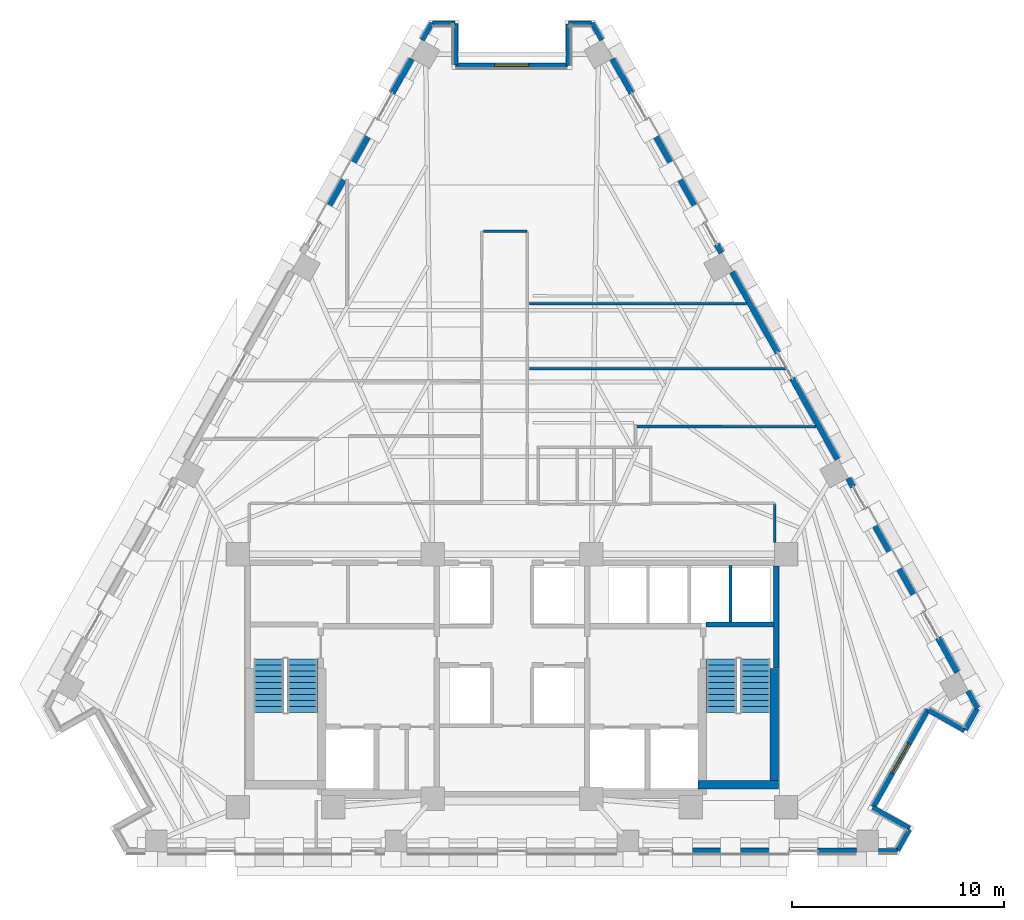
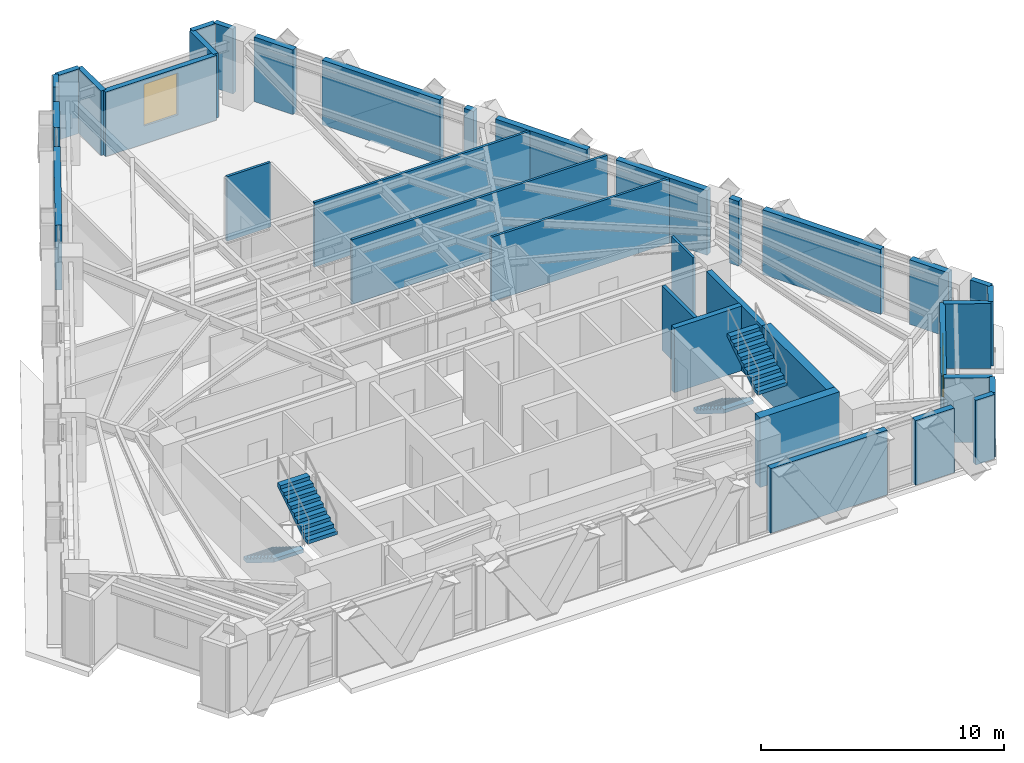
# One storey, part 9 of 13: 36 walls, 4 stair flights, 2 windows, 2 openings, 2 elements without a shape of their own.
"""IFC4 building model written with IfcOpenShell, lengths in metres."""

from ifc_helpers import new_model, si_unit, direction, frame, frame_2d, origin, place, context, subcontext, project, spatial, polyline, rectangle, outline, extrude, material, layer, layer_set, type_object, element, fill, aggregate, save


model = new_model("IFC4")

# Units and contexts
model_context = context("Model", 3, precision=1e-05, world=origin(), true_north=direction((0.0, 1.0)))
body_context = subcontext(model_context, "Body", "Model", "MODEL_VIEW")
ifc_project = project(units=[si_unit("LENGTHUNIT", "METRE"), si_unit("AREAUNIT", "SQUARE_METRE"), si_unit("VOLUMEUNIT", "CUBIC_METRE"), si_unit("PLANEANGLEUNIT", "RADIAN"), si_unit("MASSUNIT", "GRAM", prefix="KILO")], contexts=[model_context])

# Site, building, storey
site_placement = place(None, origin())
site = spatial("IfcSite", under=ifc_project, at=site_placement, CompositionType="ELEMENT")
building_placement = place(site_placement, origin())
building = spatial("IfcBuilding", under=site, at=building_placement, Name="Quenlor Broadcast Tower", CompositionType="ELEMENT")
storey_placement = place(building_placement, frame((0.0, 0.0, 130.0)))
storey = spatial("IfcBuildingStorey", under=building, at=storey_placement, Name="L35", CompositionType="ELEMENT", Elevation=130.0)

# Walls
ifc_material_1 = material(Name="Concrete C50/60", Category="concrete")
ifc_layer_1 = layer(ifc_material_1, 0.39990234375)
ifc_layer_set_1 = layer_set([ifc_layer_1], Name="Core Concrete C50/60 Shear Wall 400")
wall_type_1 = type_object("IfcWallType", Name="Core Concrete C50/60 Shear Wall 400", PredefinedType="SHEAR", material=ifc_layer_set_1)
wall_1_placement = place(storey_placement, frame((8.800048828125, -15.699951171875, 0.0), z_axis=(0.0, 0.0, 1.0), x_axis=(1.0, 0.0, 0.0)))
element("IfcWall", 1, at=wall_1_placement, inside=storey, type_object=wall_type_1, Name="L35 Core Shear Wall WS-E2", PredefinedType="SHEAR", context=body_context, shape_type="SweptSolid", body=[
    extrude(rectangle(XDim=3.800048828125, YDim=0.39990234375, at=frame_2d((1.89990234375, 0.0))), origin(), (0.0, 0.0, 1.0), 3.5),
])
wall_2_placement = place(storey_placement, frame((12.39990234375, -15.699951171875, 0.0), z_axis=(0.0, 0.0, 1.0), x_axis=(0.0, 1.0, 0.0)))
element("IfcWall", 2, at=wall_2_placement, inside=storey, type_object=wall_type_1, Name="L35 Core Shear Wall WF-E", PredefinedType="SHEAR", context=body_context, shape_type="SweptSolid", body=[
    extrude(rectangle(XDim=5.5, YDim=0.39990234375, at=frame_2d((2.75, 0.0))), origin(), (0.0, 0.0, 1.0), 3.5),
])
ifc_material_2 = material(Name="Concrete C40/50", Category="concrete")
ifc_layer_2 = layer(ifc_material_2, 0.25)
ifc_layer_set_2 = layer_set([ifc_layer_2], Name="Fire Rated Concrete C40/50 Core Wall 250")
wall_type_2 = type_object("IfcWallType", Name="Fire Rated Concrete C40/50 Core Wall 250", PredefinedType="PARTITIONING", material=ifc_layer_set_2)
wall_3_placement = place(storey_placement, frame((9.159912109375, -8.1201171875, 0.0), z_axis=(0.0, 0.0, 1.0), x_axis=(1.0, 0.0, 0.0)))
element("IfcWall", 3, at=wall_3_placement, inside=storey, type_object=wall_type_2, Name="L35 Interior Wall CW-ST2-N", PredefinedType="PARTITIONING", context=body_context, shape_type="SweptSolid", body=[
    extrude(rectangle(XDim=3.219970703125, YDim=0.25, at=frame_2d((1.60986328125, 0.0))), origin(), (0.0, 0.0, 1.0), 3.25),
])
wall_4_placement = place(storey_placement, frame((12.47998046875, -10.179931640625, 0.0), z_axis=(0.0, 0.0, 1.0), x_axis=(0.0, 1.0, 0.0)))
element("IfcWall", 4, at=wall_4_placement, inside=storey, type_object=wall_type_2, Name="L35 Interior Wall CW-ST2-E2", PredefinedType="PARTITIONING", context=body_context, shape_type="SweptSolid", body=[
    extrude(rectangle(XDim=4.827880859375, YDim=0.25, at=frame_2d((2.4140625, 0.0))), origin(), (0.0, 0.0, 1.0), 3.25),
])
ifc_material_3 = material(Name="Gypsum Fireboard Partition", Category="other")
ifc_layer_3 = layer(ifc_material_3, 0.159912109375)
ifc_layer_set_3 = layer_set([ifc_layer_3], Name="Fire Rated Shaft and Corridor Partition 160")
wall_type_3 = type_object("IfcWallType", Name="Fire Rated Shaft and Corridor Partition 160", PredefinedType="PARTITIONING", material=ifc_layer_set_3)
wall_5_placement = place(storey_placement, frame((10.324951171875, -7.992919921875, 0.0), z_axis=(0.0, 0.0, 1.0), x_axis=(0.0, 1.0, 0.0)))
element("IfcWall", 5, at=wall_5_placement, inside=storey, type_object=wall_type_3, Name="L35 Interior Wall CW-PLH-D3", PredefinedType="PARTITIONING", context=body_context, shape_type="SweptSolid", body=[
    extrude(rectangle(XDim=2.65283203125, YDim=0.159912109375, at=frame_2d((1.326416015625, 0.0))), origin(), (0.0, 0.0, 1.0), 3.25),
])
ifc_material_4 = material(Name="Gypsum Plasterboard Partition", Category="other")
ifc_layer_4 = layer(ifc_material_4, 0.1201171875)
ifc_layer_set_4 = layer_set([ifc_layer_4], Name="Standard Office Partition 120")
wall_type_4 = type_object("IfcWallType", Name="Standard Office Partition 120", PredefinedType="PARTITIONING", material=ifc_layer_set_4)
wall_6_placement = place(storey_placement, frame((-1.35791015625, 10.449951171875, 0.0), z_axis=(0.0, 0.0, 1.0), x_axis=(1.0, 0.0, 0.0)))
element("IfcWall", 6, at=wall_6_placement, inside=storey, type_object=wall_type_4, Name="L35 Interior Wall PW-CR-04", PredefinedType="PARTITIONING", context=body_context, shape_type="SweptSolid", body=[
    extrude(rectangle(XDim=2.077880859375, YDim=0.1201171875, at=frame_2d((1.0390625, 0.0))), origin(), (0.0, 0.0, 1.0), 3.25),
])
wall_7_placement = place(storey_placement, frame((12.409912109375, -2.4619140625, 0.0), z_axis=(0.0, 0.0, 1.0), x_axis=(0.0, -1.0, 0.0)))
element("IfcWall", 7, at=wall_7_placement, inside=storey, type_object=wall_type_4, Name="L35 Interior Wall PW-CR-07", PredefinedType="PARTITIONING", context=body_context, shape_type="SweptSolid", body=[
    extrude(rectangle(XDim=1.7861328125, YDim=0.1201171875, at=frame_2d((0.89306640625, 0.0))), origin(), (0.0, 0.0, 1.0), 3.25),
])
wall_8_placement = place(storey_placement, frame((11.087158203125, 7.042724609375, 0.0), z_axis=(0.0, 0.0, 1.0), x_axis=(-1.0, 0.0, 0.0)))
element("IfcWall", 8, at=wall_8_placement, inside=storey, type_object=wall_type_4, Name="L35 Interior Wall PW-DV-02", PredefinedType="PARTITIONING", context=body_context, shape_type="SweptSolid", body=[
    extrude(rectangle(XDim=10.257080078125, YDim=0.1201171875, at=frame_2d((5.12841796875, 0.0))), origin(), (0.0, 0.0, 1.0), 3.25),
])
wall_9_placement = place(storey_placement, frame((12.992919921875, 3.955078125, 0.0), z_axis=(0.0, 0.0, 1.0), x_axis=(-1.0, 0.0, 0.0)))
element("IfcWall", 9, at=wall_9_placement, inside=storey, type_object=wall_type_4, Name="L35 Interior Wall PW-DV-04", PredefinedType="PARTITIONING", context=body_context, shape_type="SweptSolid", body=[
    extrude(rectangle(XDim=12.162841796875, YDim=0.1201171875, at=frame_2d((6.08154296875, 0.0))), origin(), (0.0, 0.0, 1.0), 3.25),
])
wall_10_placement = place(storey_placement, frame((14.35693359375, 1.22998046875, 0.0), z_axis=(0.0, 0.0, 1.0), x_axis=(-0.999999918286, 0.000404262044, 0.0)))
element("IfcWall", 10, at=wall_10_placement, inside=storey, type_object=wall_type_4, Name="L35 Interior Wall PW-DV-06", PredefinedType="PARTITIONING", context=body_context, shape_type="SweptSolid", body=[
    extrude(rectangle(XDim=8.454833984375, YDim=0.1201171875, at=frame_2d((4.2275390625, 0.0))), origin(), (0.0, 0.0, 1.0), 3.25),
])
ifc_material_5 = material(Name="Precast concrete C40/50", Category="concrete")
ifc_layer_5 = layer(ifc_material_5, 0.239990234375)
ifc_layer_set_5 = layer_set([ifc_layer_5], Name="Terrace Threshold Precast Concrete C40/50 Wall 240")
wall_type_5 = type_object("IfcWallType", Name="Terrace Threshold Precast Concrete C40/50 Wall 240", PredefinedType="STANDARD", material=ifc_layer_set_5)
wall_11_placement = place(storey_placement, frame((18.2099609375, -18.824951171875, 0.0), z_axis=(0.0, 0.0, 1.0), x_axis=(-1.0, 0.0, 0.0)))
element("IfcWall", 11, at=wall_11_placement, inside=storey, type_object=wall_type_5, Name="L35 Exterior Wall L35-SHD-SS0", PredefinedType="STANDARD", context=body_context, shape_type="SweptSolid", body=[
    extrude(rectangle(XDim=0.896484375, YDim=0.239990234375, at=frame_2d((0.4482421875, 0.0))), origin(), (0.0, 0.0, 1.0), 3.25),
])
wall_12_placement = place(storey_placement, frame((3.7919921875, 20.302001953125, 0.0), z_axis=(0.0, 0.0, 1.0), x_axis=(0.490048346303, -0.871695255399, 0.0)))
element("IfcWall", 12, at=wall_12_placement, inside=storey, type_object=wall_type_5, Name="L35 Exterior Wall L35-SHD-NES0", PredefinedType="STANDARD", context=body_context, shape_type="SweptSolid", body=[
    extrude(rectangle(XDim=0.925537109375, YDim=0.239990234375, at=frame_2d((0.462890625, 0.0))), origin(), (0.0, 0.0, 1.0), 3.25),
])
wall_13_placement = place(storey_placement, frame((21.54931640625, -11.2666015625, 0.0), z_axis=(0.0, 0.0, 1.0), x_axis=(0.490248718924, -0.871582579905, 0.0)))
element("IfcWall", 13, at=wall_13_placement, inside=storey, type_object=wall_type_5, Name="L35 Exterior Wall L35-SHD-NES1", PredefinedType="STANDARD", context=body_context, shape_type="SweptSolid", body=[
    extrude(rectangle(XDim=0.92578125, YDim=0.239990234375, at=frame_2d((0.462890625, 0.0))), origin(), (0.0, 0.0, 1.0), 3.25),
])
wall_14_placement = place(storey_placement, frame((-4.24560546875, 19.4951171875, 0.0), z_axis=(0.0, 0.0, 1.0), x_axis=(0.490048346303, 0.871695255399, 0.0)))
element("IfcWall", 14, at=wall_14_placement, inside=storey, type_object=wall_type_5, Name="L35 Exterior Wall L35-SHD-NWS1", PredefinedType="STANDARD", context=body_context, shape_type="SweptSolid", body=[
    extrude(rectangle(XDim=0.925537109375, YDim=0.239990234375, at=frame_2d((0.462890625, 0.0))), origin(), (0.0, 0.0, 1.0), 3.25),
])
wall_15_placement = place(storey_placement, frame((18.783935546875, -17.760009765625, 0.0), z_axis=(0.0, 0.0, 1.0), x_axis=(-0.871536415941, 0.49033078191, 0.0)))
element("IfcWall", 15, at=wall_15_placement, inside=storey, type_object=wall_type_5, Name="L35 Exterior Wall L35-CNR-01", PredefinedType="STANDARD", context=body_context, shape_type="SweptSolid", body=[
    extrude(rectangle(XDim=2.0, YDim=0.239990234375, at=frame_2d((1.0, 0.0))), origin(), (0.0, 0.0, 1.0), 3.25),
])

# Wall, opening, window
wall_16_placement = place(storey_placement, frame((17.060302734375, -16.744384765625, 0.0), z_axis=(0.0, 0.0, 1.0), x_axis=(0.490276606961, 0.871566892824, 0.0)))
wall_16 = element("IfcWall", 16, at=wall_16_placement, inside=storey, type_object=wall_type_5, Name="L35 Exterior Wall L35-CNR-02", PredefinedType="STANDARD", context=body_context, shape_type="SweptSolid", body=[
    extrude(rectangle(XDim=5.280029296875, YDim=0.239990234375, at=frame_2d((2.64013671875, 0.0))), origin(), (0.0, 0.0, 1.0), 3.25),
])
opening_1_placement = place(wall_16_placement, frame((1.840087890625, 0.0, 0.89990234375)))
opening_1 = element("IfcOpeningElement", 17, at=opening_1_placement, cuts=wall_16, Name="Opening WN-2", PredefinedType="OPENING", context=body_context, shape_type="SweptSolid", body=[
    extrude(rectangle(XDim=1.60009765625, YDim=2.10009765625, at=frame_2d((0.800048828125, 1.050048828125))), frame((0.0, 0.1298828125, 0.0), z_axis=(0.0, -1.0, 0.0), x_axis=(1.0, 0.0, 0.0)), (0.0, 0.0, 1.0), 0.260009765625),
])
ifc_material_6 = material(Name="Thermally Broken Aluminium and Low-E Glass", Category="aluminium")
window_type = type_object("IfcWindowType", Name="Tower Studio Punched Window 1600x2100", PartitioningType="SINGLE_PANEL", PredefinedType="WINDOW", material=ifc_material_6)
window_1_placement = place(opening_1_placement, origin())
window_1 = element("IfcWindow", 18, at=window_1_placement, inside=storey, type_object=window_type, Name="L35 Corner Chamfer Window 2", OverallHeight=2.10009765625, OverallWidth=1.60009765625, PartitioningType="SINGLE_PANEL", PredefinedType="WINDOW", context=body_context, shape_type="SweptSolid", body=[
    extrude(rectangle(XDim=1.60009765625, YDim=2.10009765625, at=frame_2d((0.800048828125, 1.050048828125))), frame((0.0, 0.030029296875, 0.0), z_axis=(0.0, -1.0, 0.0), x_axis=(1.0, 0.0, 0.0)), (0.0, 0.0, 1.0), 0.06005859375),
])
fill(opening_1, window_1)

# Walls
wall_17_placement = place(storey_placement, frame((19.683837890625, -12.162109375, 0.0), z_axis=(0.0, 0.0, 1.0), x_axis=(0.871512328312, -0.490373593906, 0.0)))
element("IfcWall", 19, at=wall_17_placement, inside=storey, type_object=wall_type_5, Name="L35 Exterior Wall L35-CNR-03", PredefinedType="STANDARD", context=body_context, shape_type="SweptSolid", body=[
    extrude(rectangle(XDim=1.960205078125, YDim=0.239990234375, at=frame_2d((0.97998046875, 0.0))), origin(), (0.0, 0.0, 1.0), 3.25),
])
wall_18_placement = place(storey_placement, frame((21.411865234375, -13.08837890625, 0.0), z_axis=(0.0, 0.0, 1.0), x_axis=(0.4900989379, 0.871666811958, 0.0)))
element("IfcWall", 20, at=wall_18_placement, inside=storey, type_object=wall_type_5, Name="L35 Exterior Wall L35-CNR-04", PredefinedType="STANDARD", context=body_context, shape_type="SweptSolid", body=[
    extrude(rectangle(XDim=1.142822265625, YDim=0.239990234375, at=frame_2d((0.5712890625, 0.0))), origin(), (0.0, 0.0, 1.0), 3.25),
])
wall_19_placement = place(storey_placement, frame((3.761474609375, 20.280029296875, 0.0), z_axis=(0.0, 0.0, 1.0), x_axis=(-1.0, 0.0, 0.0)))
element("IfcWall", 21, at=wall_19_placement, inside=storey, type_object=wall_type_5, Name="L35 Exterior Wall L35-CNR-06", PredefinedType="STANDARD", context=body_context, shape_type="SweptSolid", body=[
    extrude(rectangle(XDim=1.1015625, YDim=0.239990234375, at=frame_2d((0.55078125, 0.0))), origin(), (0.0, 0.0, 1.0), 3.25),
])
wall_20_placement = place(storey_placement, frame((2.659912109375, 20.239990234375, 0.0), z_axis=(0.0, 0.0, 1.0), x_axis=(0.0, -1.0, 0.0)))
element("IfcWall", 22, at=wall_20_placement, inside=storey, type_object=wall_type_5, Name="L35 Exterior Wall L35-CNR-07", PredefinedType="STANDARD", context=body_context, shape_type="SweptSolid", body=[
    extrude(rectangle(XDim=1.9599609375, YDim=0.239990234375, at=frame_2d((0.97998046875, 0.0))), origin(), (0.0, 0.0, 1.0), 3.25),
])

# Wall, opening, window
wall_21_placement = place(storey_placement, frame((2.6201171875, 18.280029296875, 0.0), z_axis=(0.0, 0.0, 1.0), x_axis=(-1.0, 0.0, 0.0)))
wall_21 = element("IfcWall", 23, at=wall_21_placement, inside=storey, type_object=wall_type_5, Name="L35 Exterior Wall L35-CNR-08", PredefinedType="STANDARD", context=body_context, shape_type="SweptSolid", body=[
    extrude(rectangle(XDim=5.280029296875, YDim=0.239990234375, at=frame_2d((2.64013671875, 0.0))), origin(), (0.0, 0.0, 1.0), 3.25),
])
opening_2_placement = place(wall_21_placement, frame((1.840087890625, 0.0, 0.89990234375)))
opening_2 = element("IfcOpeningElement", 24, at=opening_2_placement, cuts=wall_21, Name="Opening WN-2", PredefinedType="OPENING", context=body_context, shape_type="SweptSolid", body=[
    extrude(rectangle(XDim=1.60009765625, YDim=2.10009765625, at=frame_2d((0.800048828125, 1.050048828125))), frame((0.0, 0.1298828125, 0.0), z_axis=(0.0, -1.0, 0.0), x_axis=(1.0, 0.0, 0.0)), (0.0, 0.0, 1.0), 0.260009765625),
])
window_2_placement = place(opening_2_placement, origin())
window_2 = element("IfcWindow", 25, at=window_2_placement, inside=storey, type_object=window_type, Name="L35 Corner Chamfer Window 8", OverallHeight=2.10009765625, OverallWidth=1.60009765625, PartitioningType="SINGLE_PANEL", PredefinedType="WINDOW", context=body_context, shape_type="SweptSolid", body=[
    extrude(rectangle(XDim=1.60009765625, YDim=2.10009765625, at=frame_2d((0.800048828125, 1.050048828125))), frame((0.0, 0.030029296875, 0.0), z_axis=(0.0, -1.0, 0.0), x_axis=(1.0, 0.0, 0.0)), (0.0, 0.0, 1.0), 0.06005859375),
])
fill(opening_2, window_2)

# Walls
wall_22_placement = place(storey_placement, frame((-2.659912109375, 18.320068359375, 0.0), z_axis=(0.0, 0.0, 1.0), x_axis=(0.0, 1.0, 0.0)))
element("IfcWall", 26, at=wall_22_placement, inside=storey, type_object=wall_type_5, Name="L35 Exterior Wall L35-CNR-09", PredefinedType="STANDARD", context=body_context, shape_type="SweptSolid", body=[
    extrude(rectangle(XDim=1.9599609375, YDim=0.239990234375, at=frame_2d((0.97998046875, 0.0))), origin(), (0.0, 0.0, 1.0), 3.25),
])
wall_23_placement = place(storey_placement, frame((-2.699951171875, 20.280029296875, 0.0), z_axis=(0.0, 0.0, 1.0), x_axis=(-1.0, 0.0, 0.0)))
element("IfcWall", 27, at=wall_23_placement, inside=storey, type_object=wall_type_5, Name="L35 Exterior Wall L35-CNR-10", PredefinedType="STANDARD", context=body_context, shape_type="SweptSolid", body=[
    extrude(rectangle(XDim=1.0615234375, YDim=0.239990234375, at=frame_2d((0.53076171875, 0.0))), origin(), (0.0, 0.0, 1.0), 3.25),
])
wall_24_placement = place(storey_placement, frame((18.205810546875, -18.78759765625, 0.0), z_axis=(0.0, 0.0, 1.0), x_axis=(0.490403700594, 0.871495387506, 0.0)))
element("IfcWall", 28, at=wall_24_placement, inside=storey, type_object=wall_type_5, Name="L35 Exterior Wall L35-CNR-18", PredefinedType="STANDARD", context=body_context, shape_type="SweptSolid", body=[
    extrude(rectangle(XDim=1.13916015625, YDim=0.239990234375, at=frame_2d((0.569580078125, 0.0))), origin(), (0.0, 0.0, 1.0), 3.25),
])
ifc_material_7 = material(Name="Precast concrete C40/50", Category="concrete")
ifc_layer_6 = layer(ifc_material_7, 0.280029296875)
ifc_layer_set_6 = layer_set([ifc_layer_6], Name="Terracotta Precast Concrete C40/50 Facade Wall 280")
wall_type_6 = type_object("IfcWallType", Name="Terracotta Precast Concrete C40/50 Facade Wall 280", PredefinedType="STANDARD", material=ifc_layer_set_6)
wall_25_placement = place(storey_placement, frame((16.283447265625, -18.824951171875, 0.0), z_axis=(0.0, 0.0, 1.0), x_axis=(-1.0, 0.0, 0.0)))
element("IfcWall", 29, at=wall_25_placement, inside=storey, type_object=wall_type_6, Name="L35 Exterior Wall L35-SA-SP1", PredefinedType="STANDARD", context=body_context, shape_type="SweptSolid", body=[
    extrude(rectangle(XDim=1.83837890625, YDim=0.280029296875, at=frame_2d((0.919189453125, 0.0))), origin(), (0.0, 0.0, 1.0), 3.25),
])
wall_26_placement = place(storey_placement, frame((13.10693359375, -18.824951171875, 0.0), z_axis=(0.0, 0.0, 1.0), x_axis=(-1.0, 0.0, 0.0)))
element("IfcWall", 30, at=wall_26_placement, inside=storey, type_object=wall_type_6, Name="L35 Exterior Wall L35-SA-SP2", PredefinedType="STANDARD", context=body_context, shape_type="SweptSolid", body=[
    extrude(rectangle(XDim=5.550048828125, YDim=0.280029296875, at=frame_2d((2.77490234375, 0.0))), origin(), (0.0, 0.0, 1.0), 3.25),
])
wall_27_placement = place(storey_placement, frame((4.750732421875, 18.597412109375, 0.0), z_axis=(0.0, 0.0, 1.0), x_axis=(0.490248749158, -0.871582562899, 0.0)))
element("IfcWall", 31, at=wall_27_placement, inside=storey, type_object=wall_type_6, Name="L35 Exterior Wall L35-NEA-SP1", PredefinedType="STANDARD", context=body_context, shape_type="SweptSolid", body=[
    extrude(rectangle(XDim=1.85595703125, YDim=0.280029296875, at=frame_2d((0.927978515625, 0.0))), origin(), (0.0, 0.0, 1.0), 3.25),
])
wall_28_placement = place(storey_placement, frame((6.342041015625, 15.768310546875, 0.0), z_axis=(0.0, 0.0, 1.0), x_axis=(0.490289995219, -0.871559361483, 0.0)))
element("IfcWall", 32, at=wall_28_placement, inside=storey, type_object=wall_type_6, Name="L35 Exterior Wall L35-NEA-SP2", PredefinedType="STANDARD", context=body_context, shape_type="SweptSolid", body=[
    extrude(rectangle(XDim=5.643310546875, YDim=0.280029296875, at=frame_2d((2.82177734375, 0.0))), origin(), (0.0, 0.0, 1.0), 3.25),
])
for number, where, z_axis, x_axis, name in (
    (33, (9.674072265625, 9.8447265625, 0.0), (0.0, 0.0, 1.0), (0.490412424957, -0.871490478116, 0.0), "L35 Exterior Wall L35-NEA-SP3"),
    (34, (15.8955078125, -1.21533203125, 0.0), (0.0, 0.0, 1.0), (0.490009165718, -0.871717280724, 0.0), "L35 Exterior Wall L35-NEC-SP1"),
):
    element("IfcWall", number, at=place(storey_placement, frame(where, z_axis=z_axis, x_axis=x_axis)), inside=storey, type_object=wall_type_6, Name=name, PredefinedType="STANDARD", context=body_context, shape_type="SweptSolid", body=[
        extrude(rectangle(XDim=0.4599609375, YDim=0.280029296875, at=frame_2d((0.22998046875, 0.0))), origin(), (0.0, 0.0, 1.0), 3.25),
    ])
wall_29_placement = place(storey_placement, frame((16.686279296875, -2.621337890625, 0.0), z_axis=(0.0, 0.0, 1.0), x_axis=(0.490238645956, -0.871588245682, 0.0)))
element("IfcWall", 35, at=wall_29_placement, inside=storey, type_object=wall_type_6, Name="L35 Exterior Wall L35-NEC-SP2", PredefinedType="STANDARD", context=body_context, shape_type="SweptSolid", body=[
    extrude(rectangle(XDim=5.643310546875, YDim=0.280029296875, at=frame_2d((2.82177734375, 0.0))), origin(), (0.0, 0.0, 1.0), 3.25),
])
wall_30_placement = place(storey_placement, frame((20.13427734375, -8.751220703125, 0.0), z_axis=(0.0, 0.0, 1.0), x_axis=(0.490248749158, -0.871582562899, 0.0)))
element("IfcWall", 36, at=wall_30_placement, inside=storey, type_object=wall_type_6, Name="L35 Exterior Wall L35-NEC-SP3", PredefinedType="STANDARD", context=body_context, shape_type="SweptSolid", body=[
    extrude(rectangle(XDim=1.85595703125, YDim=0.280029296875, at=frame_2d((0.927978515625, 0.0))), origin(), (0.0, 0.0, 1.0), 3.25),
])
wall_31_placement = place(storey_placement, frame((10.411865234375, 8.532958984375, 0.0), z_axis=(0.0, 0.0, 1.0), x_axis=(0.490274486291, -0.871568085747, 0.0)))
element("IfcWall", 37, at=wall_31_placement, inside=storey, type_object=wall_type_6, Name="L35 Exterior Wall L35-NE-SP1", PredefinedType="STANDARD", context=body_context, shape_type="SweptSolid", body=[
    extrude(rectangle(XDim=4.375244140625, YDim=0.280029296875, at=frame_2d((2.1875, 0.0))), origin(), (0.0, 0.0, 1.0), 3.25),
])
wall_32_placement = place(storey_placement, frame((13.23828125, 3.508544921875, 0.0), z_axis=(0.0, 0.0, 1.0), x_axis=(0.490232095789, -0.871591929895, 0.0)))
element("IfcWall", 38, at=wall_32_placement, inside=storey, type_object=wall_type_6, Name="L35 Exterior Wall L35-NE-SP2", PredefinedType="STANDARD", context=body_context, shape_type="SweptSolid", body=[
    extrude(rectangle(XDim=4.375, YDim=0.280029296875, at=frame_2d((2.1875, 0.0))), origin(), (0.0, 0.0, 1.0), 3.25),
])
wall_33_placement = place(storey_placement, frame((-9.10888671875, 10.849853515625, 0.0), z_axis=(0.0, 0.0, 1.0), x_axis=(0.490289995219, 0.871559361483, 0.0)))
element("IfcWall", 39, at=wall_33_placement, inside=storey, type_object=wall_type_6, Name="L35 Exterior Wall L35-NWC-SP2", PredefinedType="STANDARD", context=body_context, shape_type="SweptSolid", body=[
    extrude(rectangle(XDim=5.643310546875, YDim=0.280029296875, at=frame_2d((2.82177734375, 0.0))), origin(), (0.0, 0.0, 1.0), 3.25),
])
wall_34_placement = place(storey_placement, frame((-5.66064453125, 16.979736328125, 0.0), z_axis=(0.0, 0.0, 1.0), x_axis=(0.490248749158, 0.871582562899, 0.0)))
element("IfcWall", 40, at=wall_34_placement, inside=storey, type_object=wall_type_6, Name="L35 Exterior Wall L35-NWC-SP3", PredefinedType="STANDARD", context=body_context, shape_type="SweptSolid", body=[
    extrude(rectangle(XDim=1.85595703125, YDim=0.280029296875, at=frame_2d((0.927978515625, 0.0))), origin(), (0.0, 0.0, 1.0), 3.25),
])

# Stair, stair flights
ifc_material_8 = material(Name="Precast concrete C40/50", Category="concrete")
stair_type = type_object("IfcStairType", Name="Precast Concrete C40/50 Dogleg Stair H350", PredefinedType="HALF_TURN_STAIR", material=ifc_material_8)
stair_1_placement = place(storey_placement, origin())
stair_1 = element("IfcStair", 41, at=stair_1_placement, inside=storey, type_object=stair_type, Name="L35 West Core Fire-Isolated Exit Stair ST-1", PredefinedType="HALF_TURN_STAIR")
ifc_material_9 = material(Name="Precast concrete C40/50", Category="concrete")
ifc_layer_7 = layer(ifc_material_9, 0.159912109375)
ifc_layer_set_7 = layer_set([ifc_layer_7], Name="Precast Concrete C40/50 Stair Flight H350")
stair_flight_type = type_object("IfcStairFlightType", Name="Precast Concrete C40/50 Stair Flight H350", PredefinedType="STRAIGHT", material=ifc_layer_set_7)
stair_flight_1_placement = place(storey_placement, frame((-11.5, -9.75, 0.0), z_axis=(0.0, 0.0, 1.0), x_axis=(0.0, -1.0, 0.0)))
stair_flight_1 = element("IfcStairFlight", 42, at=stair_flight_1_placement, type_object=stair_flight_type, Name="ST-1 flight 1", NumberOfRisers=10, NumberOfTreads=9, PredefinedType="STRAIGHT", RiserHeight=0.175, TreadLength=0.28, context=body_context, shape_type="SweptSolid", body=[
    extrude(outline(polyline([(0.0, 0.0), (0.0, 0.175048828125), (0.280029296875, 0.175048828125), (0.280029296875, 0.35009765625), (0.56005859375, 0.35009765625), (0.56005859375, 0.52490234375), (0.840087890625, 0.52490234375), (0.840087890625, 0.699951171875), (1.1201171875, 0.699951171875), (1.1201171875, 0.875), (1.39990234375, 0.875), (1.39990234375, 1.050048828125), (1.679931640625, 1.050048828125), (1.679931640625, 1.22509765625), (1.9599609375, 1.22509765625), (1.9599609375, 1.39990234375), (2.239990234375, 1.39990234375), (2.239990234375, 1.574951171875), (2.52001953125, 1.574951171875), (2.52001953125, 1.75), (2.52001953125, 1.398193359375), (0.28271484375, 0.0), (0.0, 0.0)])), frame((0.0, 0.699951171875, 0.0), z_axis=(0.0, -1.0, 0.0), x_axis=(1.0, 0.0, 0.0)), (0.0, 0.0, 1.0), 1.39990234375),
])
stair_flight_2_placement = place(storey_placement, frame((-9.89990234375, -12.27001953125, 1.75), z_axis=(0.0, 0.0, 1.0), x_axis=(0.0, 1.0, 0.0)))
stair_flight_2 = element("IfcStairFlight", 43, at=stair_flight_2_placement, type_object=stair_flight_type, Name="ST-1 flight 2", NumberOfRisers=10, NumberOfTreads=9, PredefinedType="STRAIGHT", RiserHeight=0.175, TreadLength=0.28, context=body_context, shape_type="SweptSolid", body=[
    extrude(outline(polyline([(0.0, 0.0), (0.0, 0.175048828125), (0.280029296875, 0.175048828125), (0.280029296875, 0.35009765625), (0.56005859375, 0.35009765625), (0.56005859375, 0.52490234375), (0.840087890625, 0.52490234375), (0.840087890625, 0.699951171875), (1.1201171875, 0.699951171875), (1.1201171875, 0.875), (1.39990234375, 0.875), (1.39990234375, 1.050048828125), (1.679931640625, 1.050048828125), (1.679931640625, 1.22509765625), (1.9599609375, 1.22509765625), (1.9599609375, 1.39990234375), (2.239990234375, 1.39990234375), (2.239990234375, 1.574951171875), (2.52001953125, 1.574951171875), (2.52001953125, 1.75), (2.52001953125, 1.398193359375), (0.28271484375, 0.0), (0.0, 0.0)])), frame((0.0, 0.699951171875, 0.0), z_axis=(0.0, -1.0, 0.0), x_axis=(1.0, 0.0, 0.0)), (0.0, 0.0, 1.0), 1.39990234375),
])
aggregate(stair_1, [stair_flight_1, stair_flight_2])

stair_2_placement = place(storey_placement, origin())
stair_2 = element("IfcStair", 44, at=stair_2_placement, inside=storey, type_object=stair_type, Name="L35 East Core Fire-Isolated Exit Stair ST-2", PredefinedType="HALF_TURN_STAIR")
stair_flight_3_placement = place(storey_placement, frame((9.89990234375, -9.75, 0.0), z_axis=(0.0, 0.0, 1.0), x_axis=(0.0, -1.0, 0.0)))
stair_flight_3 = element("IfcStairFlight", 45, at=stair_flight_3_placement, type_object=stair_flight_type, Name="ST-2 flight 1", NumberOfRisers=10, NumberOfTreads=9, PredefinedType="STRAIGHT", RiserHeight=0.175, TreadLength=0.28, context=body_context, shape_type="SweptSolid", body=[
    extrude(outline(polyline([(0.0, 0.0), (0.0, 0.175048828125), (0.280029296875, 0.175048828125), (0.280029296875, 0.35009765625), (0.56005859375, 0.35009765625), (0.56005859375, 0.52490234375), (0.840087890625, 0.52490234375), (0.840087890625, 0.699951171875), (1.1201171875, 0.699951171875), (1.1201171875, 0.875), (1.39990234375, 0.875), (1.39990234375, 1.050048828125), (1.679931640625, 1.050048828125), (1.679931640625, 1.22509765625), (1.9599609375, 1.22509765625), (1.9599609375, 1.39990234375), (2.239990234375, 1.39990234375), (2.239990234375, 1.574951171875), (2.52001953125, 1.574951171875), (2.52001953125, 1.75), (2.52001953125, 1.398193359375), (0.28271484375, 0.0), (0.0, 0.0)])), frame((0.0, 0.699951171875, 0.0), z_axis=(0.0, -1.0, 0.0), x_axis=(1.0, 0.0, 0.0)), (0.0, 0.0, 1.0), 1.39990234375),
])
stair_flight_4_placement = place(storey_placement, frame((11.5, -12.27001953125, 1.75), z_axis=(0.0, 0.0, 1.0), x_axis=(0.0, 1.0, 0.0)))
stair_flight_4 = element("IfcStairFlight", 46, at=stair_flight_4_placement, type_object=stair_flight_type, Name="ST-2 flight 2", NumberOfRisers=10, NumberOfTreads=9, PredefinedType="STRAIGHT", RiserHeight=0.175, TreadLength=0.28, context=body_context, shape_type="SweptSolid", body=[
    extrude(outline(polyline([(0.0, 0.0), (0.0, 0.175048828125), (0.280029296875, 0.175048828125), (0.280029296875, 0.35009765625), (0.56005859375, 0.35009765625), (0.56005859375, 0.52490234375), (0.840087890625, 0.52490234375), (0.840087890625, 0.699951171875), (1.1201171875, 0.699951171875), (1.1201171875, 0.875), (1.39990234375, 0.875), (1.39990234375, 1.050048828125), (1.679931640625, 1.050048828125), (1.679931640625, 1.22509765625), (1.9599609375, 1.22509765625), (1.9599609375, 1.39990234375), (2.239990234375, 1.39990234375), (2.239990234375, 1.574951171875), (2.52001953125, 1.574951171875), (2.52001953125, 1.75), (2.52001953125, 1.398193359375), (0.28271484375, 0.0), (0.0, 0.0)])), frame((0.0, 0.699951171875, 0.0), z_axis=(0.0, -1.0, 0.0), x_axis=(1.0, 0.0, 0.0)), (0.0, 0.0, 1.0), 1.39990234375),
])
aggregate(stair_2, [stair_flight_3, stair_flight_4])

save(model, "model.ifc")
